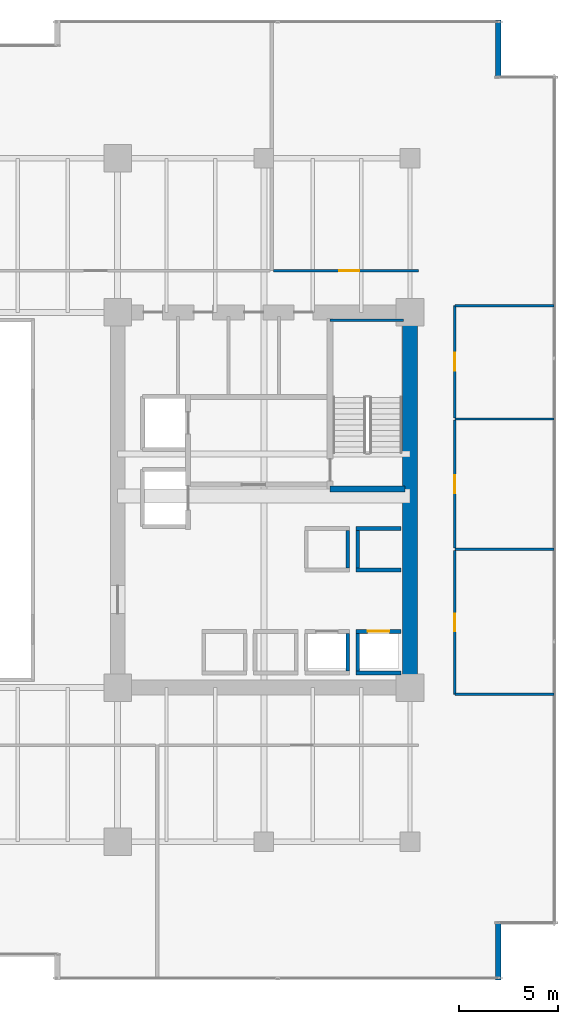
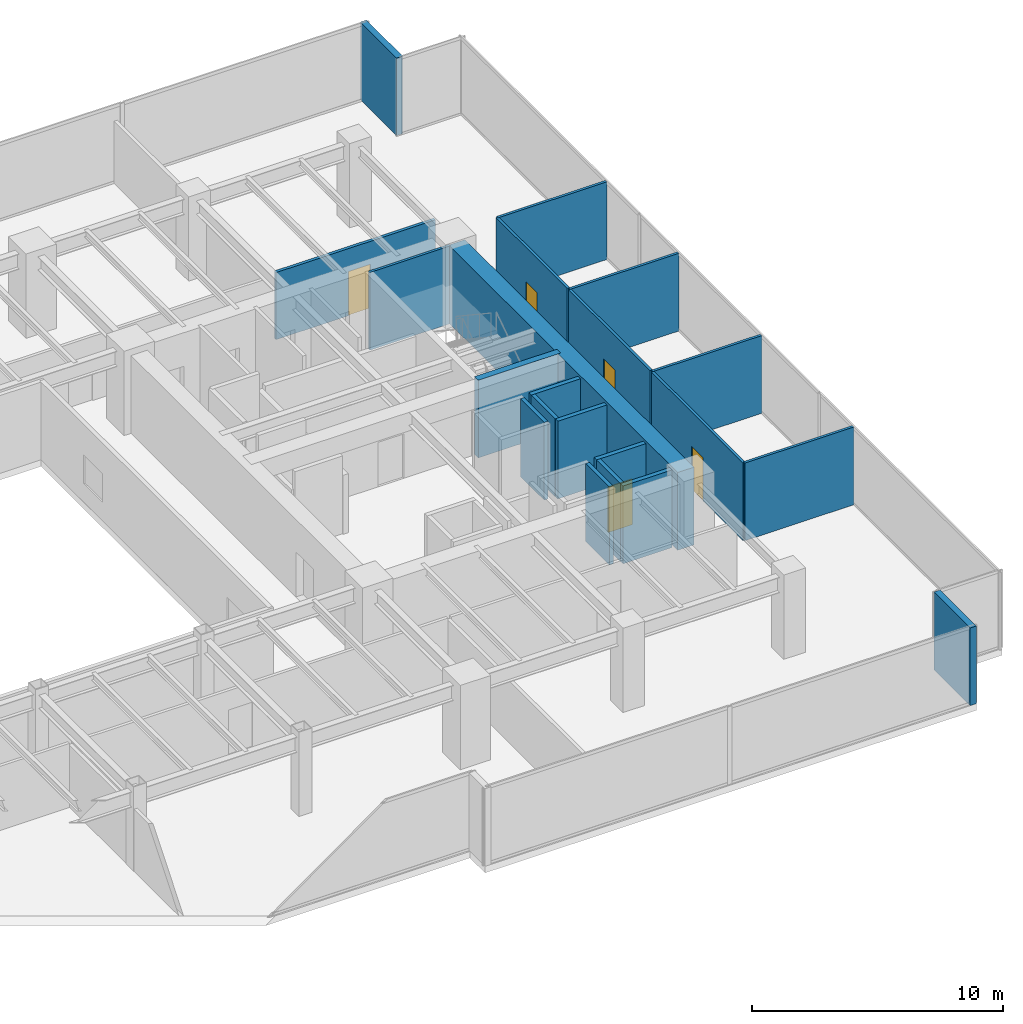
# One storey, part 32 of 35: 21 walls, 5 doors, 5 openings.
"""IFC4 building model written with IfcOpenShell, lengths in metres."""

from ifc_helpers import new_model, si_unit, direction, frame, frame_2d, origin, place, context, subcontext, project, spatial, rectangle, extrude, source, transform, mapped, material, layer, layer_set, type_object, type_shapes, element, fill, save


model = new_model("IFC4")

# Units and contexts
model_context = context("Model", 3, precision=1e-05, world=origin(), true_north=direction((0.0, 1.0)))
body_context = subcontext(model_context, "Body", "Model", "MODEL_VIEW")
ifc_project = project(units=[si_unit("LENGTHUNIT", "METRE"), si_unit("AREAUNIT", "SQUARE_METRE"), si_unit("VOLUMEUNIT", "CUBIC_METRE"), si_unit("PLANEANGLEUNIT", "RADIAN"), si_unit("MASSUNIT", "GRAM", prefix="KILO")], contexts=[model_context])

# Site, building, storey
site_placement = place(None, origin())
site = spatial("IfcSite", under=ifc_project, at=site_placement, CompositionType="ELEMENT")
building_placement = place(site_placement, origin())
building = spatial("IfcBuilding", under=site, at=building_placement, Name="Haelvirn Gate Laboratories", CompositionType="ELEMENT")
storey_placement = place(building_placement, frame((0.0, 0.0, 66.199951171875)))
storey = spatial("IfcBuildingStorey", under=building, at=storey_placement, Name="L16", CompositionType="ELEMENT", Elevation=66.199951171875)

# Walls
ifc_material_1 = material(Name="Thermally-broken bronze aluminium rainscreen & mineral wool", Category="aluminium")
ifc_layer_1 = layer(ifc_material_1, 0.280029296875, Name="EW-TERR-280")
ifc_layer_set_1 = layer_set([ifc_layer_1], Name="Thermally-broken bronze aluminium rainscreen & mineral wool")
wall_type_1 = type_object("IfcWallType", Name="EW-TERR-280", PredefinedType="STANDARD", material=ifc_layer_set_1)
wall_1_placement = place(storey_placement, frame((71.860107421875, 0.0, 0.0), z_axis=(0.0, 0.0, 1.0), x_axis=(0.0, 1.0, 0.0)))
element("IfcWall", 1, at=wall_1_placement, inside=storey, type_object=wall_type_1, Name="L16 Atrium Recess Bronze Return Wall 05", PredefinedType="STANDARD", context=body_context, shape_type="SweptSolid", body=[
    extrude(rectangle(XDim=2.887939453125, YDim=0.280029296875, at=frame_2d((1.44384765625, 0.0))), origin(), (0.0, 0.0, 1.0), 3.780029296875),
])
wall_2_placement = place(storey_placement, frame((71.860107421875, 45.7119140625, 0.0), z_axis=(0.0, 0.0, 1.0), x_axis=(0.0, 1.0, 0.0)))
element("IfcWall", 2, at=wall_2_placement, inside=storey, type_object=wall_type_1, Name="L16 Atrium Recess Bronze Return Wall 09", PredefinedType="STANDARD", context=body_context, shape_type="SweptSolid", body=[
    extrude(rectangle(XDim=2.88818359375, YDim=0.280029296875, at=frame_2d((1.444091796875, 0.0))), origin(), (0.0, 0.0, 1.0), 3.780029296875),
])
ifc_material_2 = material(Name="Lightweight acoustic gypsum board partition", Category="gypsum")
ifc_layer_2 = layer(ifc_material_2, 0.1201171875, Name="IW-PART-120")
ifc_layer_set_2 = layer_set([ifc_layer_2], Name="Lightweight acoustic gypsum board partition")
wall_type_2 = type_object("IfcWallType", Name="IW-PART-120", PredefinedType="PARTITIONING", material=ifc_layer_set_2)
for number, where, z_axis, x_axis, name in (
    (3, (69.669921875, 14.465087890625, 0.0), (0.0, 0.0, 1.0), (1.0, 0.0, 0.0), "L16 Interior Wall IW-L16-ECAP-S"),
    (4, (69.669921875, 34.135009765625, 0.0), (0.0, 0.0, 1.0), (1.0, 0.0, 0.0), "L16 Interior Wall IW-L16-ECAP-N"),
):
    element("IfcWall", number, at=place(storey_placement, frame(where, z_axis=z_axis, x_axis=x_axis)), inside=storey, type_object=wall_type_2, Name=name, PredefinedType="PARTITIONING", context=body_context, shape_type="SweptSolid", body=[
        extrude(rectangle(XDim=5.02001953125, YDim=0.1201171875, at=frame_2d((2.510009765625, 0.0))), origin(), (0.0, 0.0, 1.0), 3.780029296875),
    ])

# Wall, opening, door
wall_3_placement = place(storey_placement, frame((69.669921875, 14.465087890625, 0.0), z_axis=(0.0, 0.0, 1.0), x_axis=(0.0, 1.0, 0.0)))
wall_3 = element("IfcWall", 5, at=wall_3_placement, inside=storey, type_object=wall_type_2, Name="L16 Interior Wall IW-L16-EPASS-01", PredefinedType="PARTITIONING", context=body_context, shape_type="SweptSolid", body=[
    extrude(rectangle(XDim=7.27490234375, YDim=0.1201171875, at=frame_2d((3.637451171875, 0.0))), origin(), (0.0, 0.0, 1.0), 3.780029296875),
])
opening_1_placement = place(wall_3_placement, frame((3.1875, 0.0, 0.0)))
opening_1 = element("IfcOpeningElement", 6, at=opening_1_placement, cuts=wall_3, Name="Opening D4", PredefinedType="OPENING", context=body_context, shape_type="SweptSolid", body=[
    extrude(rectangle(XDim=0.89990234375, YDim=2.10009765625, at=frame_2d((0.449951171875, 1.050048828125))), frame((0.0, 0.070068359375, 0.0), z_axis=(0.0, -1.0, 0.0), x_axis=(1.0, 0.0, 0.0)), (0.0, 0.0, 1.0), 0.14013671875),
])
ifc_material_3 = material(Name="Glazed aluminium-framed write-up door", Category="aluminium")
door_type_1 = type_object("IfcDoorType", Name="DR-OFF-900", OperationType="NOTDEFINED", PredefinedType="DOOR", material=ifc_material_3)
shared_shape_1 = source(origin(), body_context, "Body", "SweptSolid", [
    extrude(rectangle(XDim=0.89990234375, YDim=2.10009765625, at=frame_2d((0.449951171875, 1.050048828125))), frame((0.0, 0.02490234375, 0.0), z_axis=(0.0, -1.0, 0.0), x_axis=(1.0, 0.0, 0.0)), (0.0, 0.0, 1.0), 0.050048828125),
])
type_shapes(door_type_1, [shared_shape_1])
door_1_placement = place(opening_1_placement, origin())
door_1 = element("IfcDoor", 7, at=door_1_placement, inside=storey, type_object=door_type_1, Name="L16 Bioprocess Foundry Laboratory Door E1", OperationType="SINGLE_SWING_LEFT", OverallHeight=2.10009765625, OverallWidth=0.89990234375, PredefinedType="DOOR", context=body_context, shape_type="MappedRepresentation", body=[
    mapped(shared_shape_1, transform((0.0, 0.0, 0.0), scale=1.0)),
])
fill(opening_1, door_1)

# Wall
wall_4_placement = place(storey_placement, frame((69.669921875, 21.800048828125, 0.0), z_axis=(0.0, 0.0, 1.0), x_axis=(1.0, 0.0, 0.0)))
element("IfcWall", 8, at=wall_4_placement, inside=storey, type_object=wall_type_2, Name="L16 Interior Wall IW-L16-EDIV-01", PredefinedType="PARTITIONING", context=body_context, shape_type="SweptSolid", body=[
    extrude(rectangle(XDim=5.02001953125, YDim=0.1201171875, at=frame_2d((2.510009765625, 0.0))), origin(), (0.0, 0.0, 1.0), 3.780029296875),
])

# Wall, opening, door
wall_5_placement = place(storey_placement, frame((69.669921875, 21.860107421875, 0.0), z_axis=(0.0, 0.0, 1.0), x_axis=(0.0, 1.0, 0.0)))
wall_5 = element("IfcWall", 9, at=wall_5_placement, inside=storey, type_object=wall_type_2, Name="L16 Interior Wall IW-L16-EPASS-02", PredefinedType="PARTITIONING", context=body_context, shape_type="SweptSolid", body=[
    extrude(rectangle(XDim=6.47998046875, YDim=0.1201171875, at=frame_2d((3.239990234375, 0.0))), origin(), (0.0, 0.0, 1.0), 3.780029296875),
])
opening_2_placement = place(wall_5_placement, frame((2.7900390625, 0.0, 0.0)))
opening_2 = element("IfcOpeningElement", 10, at=opening_2_placement, cuts=wall_5, Name="Opening D4", PredefinedType="OPENING", context=body_context, shape_type="SweptSolid", body=[
    extrude(rectangle(XDim=0.89990234375, YDim=2.10009765625, at=frame_2d((0.449951171875, 1.050048828125))), frame((0.0, 0.070068359375, 0.0), z_axis=(0.0, -1.0, 0.0), x_axis=(1.0, 0.0, 0.0)), (0.0, 0.0, 1.0), 0.14013671875),
])
door_2_placement = place(opening_2_placement, origin())
door_2 = element("IfcDoor", 11, at=door_2_placement, inside=storey, type_object=door_type_1, Name="L16 Genomics Assay Laboratory Door E2", OperationType="SINGLE_SWING_RIGHT", OverallHeight=2.10009765625, OverallWidth=0.89990234375, PredefinedType="DOOR", context=body_context, shape_type="MappedRepresentation", body=[
    mapped(shared_shape_1, transform((0.0, 0.0, 0.0), scale=1.0)),
])
fill(opening_2, door_2)

# Wall
wall_6_placement = place(storey_placement, frame((69.669921875, 28.39990234375, 0.0), z_axis=(0.0, 0.0, 1.0), x_axis=(1.0, 0.0, 0.0)))
element("IfcWall", 12, at=wall_6_placement, inside=storey, type_object=wall_type_2, Name="L16 Interior Wall IW-L16-EDIV-02", PredefinedType="PARTITIONING", context=body_context, shape_type="SweptSolid", body=[
    extrude(rectangle(XDim=5.02001953125, YDim=0.1201171875, at=frame_2d((2.510009765625, 0.0))), origin(), (0.0, 0.0, 1.0), 3.780029296875),
])

# Wall, opening, door
wall_7_placement = place(storey_placement, frame((69.669921875, 28.4599609375, 0.0), z_axis=(0.0, 0.0, 1.0), x_axis=(0.0, 1.0, 0.0)))
wall_7 = element("IfcWall", 13, at=wall_7_placement, inside=storey, type_object=wall_type_2, Name="L16 Interior Wall IW-L16-EPASS-03", PredefinedType="PARTITIONING", context=body_context, shape_type="SweptSolid", body=[
    extrude(rectangle(XDim=5.675048828125, YDim=0.1201171875, at=frame_2d((2.83740234375, 0.0))), origin(), (0.0, 0.0, 1.0), 3.780029296875),
])
opening_3_placement = place(wall_7_placement, frame((2.387451171875, 0.0, 0.0)))
opening_3 = element("IfcOpeningElement", 14, at=opening_3_placement, cuts=wall_7, Name="Opening D4", PredefinedType="OPENING", context=body_context, shape_type="SweptSolid", body=[
    extrude(rectangle(XDim=0.89990234375, YDim=2.10009765625, at=frame_2d((0.449951171875, 1.050048828125))), frame((0.0, 0.070068359375, 0.0), z_axis=(0.0, -1.0, 0.0), x_axis=(1.0, 0.0, 0.0)), (0.0, 0.0, 1.0), 0.14013671875),
])
door_3_placement = place(opening_3_placement, origin())
door_3 = element("IfcDoor", 15, at=door_3_placement, inside=storey, type_object=door_type_1, Name="L16 Proteomics Mass-Spec Laboratory Door E3", OperationType="SINGLE_SWING_LEFT", OverallHeight=2.10009765625, OverallWidth=0.89990234375, PredefinedType="DOOR", context=body_context, shape_type="MappedRepresentation", body=[
    mapped(shared_shape_1, transform((0.0, 0.0, 0.0), scale=1.0)),
])
fill(opening_3, door_3)

ifc_material_4 = material(Name="Acoustic mineral-wool gypsum board partition", Category="gypsum")
ifc_layer_3 = layer(ifc_material_4, 0.139892578125, Name="IW-PART-140")
ifc_layer_set_3 = layer_set([ifc_layer_3], Name="Acoustic mineral-wool gypsum board partition")
wall_type_3 = type_object("IfcWallType", Name="IW-PART-140", PredefinedType="PARTITIONING", material=ifc_layer_set_3)
wall_8_placement = place(storey_placement, frame((60.47998046875, 35.909912109375, 0.0), z_axis=(0.0, 0.0, 1.0), x_axis=(1.0, 0.0, 0.0)))
wall_8 = element("IfcWall", 16, at=wall_8_placement, inside=storey, type_object=wall_type_3, Name="L16 Interior Wall IW-L16-NCORR-05", PredefinedType="PARTITIONING", context=body_context, shape_type="SweptSolid", body=[
    extrude(rectangle(XDim=7.340087890625, YDim=0.139892578125, at=frame_2d((3.669921875, 0.0))), origin(), (0.0, 0.0, 1.0), 3.26513671875),
])
opening_4_placement = place(wall_8_placement, frame((3.339111328125, 0.0, 0.0)))
opening_4 = element("IfcOpeningElement", 17, at=opening_4_placement, cuts=wall_8, Name="Opening D2", PredefinedType="OPENING", context=body_context, shape_type="SweptSolid", body=[
    extrude(rectangle(XDim=1.0, YDim=2.14990234375, at=frame_2d((0.5, 1.074951171875))), frame((0.0, 0.080078125, 0.0), z_axis=(0.0, -1.0, 0.0), x_axis=(1.0, 0.0, 0.0)), (0.0, 0.0, 1.0), 0.159912109375),
])
ifc_material_5 = material(Name="Acoustic solid-core timber suite door", Category="wood")
door_type_2 = type_object("IfcDoorType", Name="DR-INT-1000", OperationType="NOTDEFINED", PredefinedType="DOOR", material=ifc_material_5)
shared_shape_2 = source(origin(), body_context, "Body", "SweptSolid", [
    extrude(rectangle(XDim=1.0, YDim=2.14990234375, at=frame_2d((0.5, 1.074951171875))), frame((0.0, 0.02490234375, 0.0), z_axis=(0.0, -1.0, 0.0), x_axis=(1.0, 0.0, 0.0)), (0.0, 0.0, 1.0), 0.050048828125),
])
type_shapes(door_type_2, [shared_shape_2])
door_4_placement = place(opening_4_placement, origin())
door_4 = element("IfcDoor", 18, at=door_4_placement, inside=storey, type_object=door_type_2, Name="L16 Floor Hydration & Tea Servery Door N5", OperationType="SINGLE_SWING_RIGHT", OverallHeight=2.14990234375, OverallWidth=1.0, PredefinedType="DOOR", context=body_context, shape_type="MappedRepresentation", body=[
    mapped(shared_shape_2, transform((0.0, 0.0, 0.0), scale=1.0)),
])
fill(opening_4, door_4)

# Walls
ifc_material_6 = material(Name="Concrete C40/50", Category="concrete")
ifc_layer_4 = layer(ifc_material_6, 0.179931640625, Name="IW-SHAFT-180")
ifc_layer_set_4 = layer_set([ifc_layer_4], Name="Concrete C40/50")
wall_type_4 = type_object("IfcWallType", Name="IW-SHAFT-180", PredefinedType="SOLIDWALL", material=ifc_layer_set_4)
for number, where, z_axis, x_axis, name in (
    (19, (64.75, 15.64990234375, 0.0), (0.0, 0.0, 1.0), (0.0, 1.0, 0.0), "L16 Interior Wall IW-L16-PL3-SD"),
    (20, (64.25, 15.64990234375, 0.0), (0.0, 0.0, 1.0), (0.0, 1.0, 0.0), "L16 Interior Wall IW-L16-PL4-SDE"),
):
    element("IfcWall", number, at=place(storey_placement, frame(where, z_axis=z_axis, x_axis=x_axis)), inside=storey, type_object=wall_type_4, Name=name, PredefinedType="SOLIDWALL", context=body_context, shape_type="SweptSolid", body=[
        extrude(rectangle(XDim=1.900146484375, YDim=0.179931640625, at=frame_2d((0.9501953125, 0.0))), origin(), (0.0, 0.0, 1.0), 3.780029296875),
    ])
for number, where, z_axis, x_axis, name in (
    (21, (64.75, 20.85009765625, 0.0), (0.0, 0.0, 1.0), (0.0, 1.0, 0.0), "L16 Interior Wall IW-L16-PL11-SD"),
    (22, (64.25, 20.85009765625, 0.0), (0.0, 0.0, 1.0), (0.0, 1.0, 0.0), "L16 Interior Wall IW-L16-PL12-SDE"),
):
    element("IfcWall", number, at=place(storey_placement, frame(where, z_axis=z_axis, x_axis=x_axis)), inside=storey, type_object=wall_type_4, Name=name, PredefinedType="SOLIDWALL", context=body_context, shape_type="SweptSolid", body=[
        extrude(rectangle(XDim=1.89990234375, YDim=0.179931640625, at=frame_2d((0.949951171875, 0.0))), origin(), (0.0, 0.0, 1.0), 3.780029296875),
    ])

# Wall, opening, door
ifc_layer_5 = layer(ifc_material_6, 0.199951171875, Name="IW-SHAFT-200")
ifc_layer_set_5 = layer_set([ifc_layer_5], Name="Concrete C40/50")
wall_type_5 = type_object("IfcWallType", Name="IW-SHAFT-200", PredefinedType="SOLIDWALL", material=ifc_layer_set_5)
wall_9_placement = place(storey_placement, frame((64.669921875, 17.64990234375, 0.0), z_axis=(0.0, 0.0, 1.0), x_axis=(1.0, 0.0, 0.0)))
wall_9 = element("IfcWall", 23, at=wall_9_placement, inside=storey, type_object=wall_type_5, Name="L16 Interior Wall IW-L16-PL3-FR", PredefinedType="SOLIDWALL", context=body_context, shape_type="SweptSolid", body=[
    extrude(rectangle(XDim=2.260009765625, YDim=0.199951171875, at=frame_2d((1.1298828125, 0.0))), origin(), (0.0, 0.0, 1.0), 3.780029296875),
])
opening_5_placement = place(wall_9_placement, frame((0.580078125, 0.0, 0.0)))
opening_5 = element("IfcOpeningElement", 24, at=opening_5_placement, cuts=wall_9, Name="Opening LD2", PredefinedType="OPENING", context=body_context, shape_type="SweptSolid", body=[
    extrude(rectangle(XDim=1.10009765625, YDim=2.219970703125, at=frame_2d((0.550048828125, 1.10986328125))), frame((0.0, 0.10986328125, 0.0), z_axis=(0.0, -1.0, 0.0), x_axis=(1.0, 0.0, 0.0)), (0.0, 0.0, 1.0), 0.219970703125),
])
ifc_material_7 = material(Name="Bronze stainless 316L sliding lift landing door")
door_type_3 = type_object("IfcDoorType", Name="DR-LD-1100", OperationType="NOTDEFINED", PredefinedType="USERDEFINED", material=ifc_material_7)
shared_shape_3 = source(origin(), body_context, "Body", "SweptSolid", [
    extrude(rectangle(XDim=1.10009765625, YDim=2.219970703125, at=frame_2d((0.550048828125, 1.10986328125))), frame((0.0, 0.02490234375, 0.0), z_axis=(0.0, -1.0, 0.0), x_axis=(1.0, 0.0, 0.0)), (0.0, 0.0, 1.0), 0.050048828125),
])
type_shapes(door_type_3, [shared_shape_3])
door_5_placement = place(opening_5_placement, origin())
door_5 = element("IfcDoor", 25, at=door_5_placement, inside=storey, type_object=door_type_3, Name="L16 Passenger Lift PL3 Landing Door", ObjectType="LANDING_DOOR", OperationType="SLIDING_TO_LEFT", OverallHeight=2.219970703125, OverallWidth=1.10009765625, PredefinedType="USERDEFINED", context=body_context, shape_type="MappedRepresentation", body=[
    mapped(shared_shape_3, transform((0.0, 0.0, 0.0), scale=1.0)),
])
fill(opening_5, door_5)

# Walls
for number, where, z_axis, x_axis, name in (
    (26, (64.669921875, 15.550048828125, 0.0), (0.0, 0.0, 1.0), (1.0, 0.0, 0.0), "L16 Interior Wall IW-L16-PL3-BK"),
    (27, (64.669921875, 20.75, 0.0), (0.0, 0.0, 1.0), (1.0, 0.0, 0.0), "L16 Interior Wall IW-L16-PL11-FR"),
    (28, (64.669921875, 22.85009765625, 0.0), (0.0, 0.0, 1.0), (1.0, 0.0, 0.0), "L16 Interior Wall IW-L16-PL11-BK"),
):
    element("IfcWall", number, at=place(storey_placement, frame(where, z_axis=z_axis, x_axis=x_axis)), inside=storey, type_object=wall_type_5, Name=name, PredefinedType="SOLIDWALL", context=body_context, shape_type="SweptSolid", body=[
        extrude(rectangle(XDim=2.260009765625, YDim=0.199951171875, at=frame_2d((1.1298828125, 0.0))), origin(), (0.0, 0.0, 1.0), 3.780029296875),
    ])
ifc_material_8 = material(Name="Concrete C70/85", Category="concrete")
ifc_layer_6 = layer(ifc_material_8, 0.75, Name="SW-CORE-750")
ifc_layer_set_6 = layer_set([ifc_layer_6], Name="Concrete C70/85")
wall_type_6 = type_object("IfcWallType", Name="SW-CORE-750", PredefinedType="SHEAR", material=ifc_layer_set_6)
wall_10_placement = place(storey_placement, frame((67.39990234375, 15.175048828125, 0.0), z_axis=(0.0, 0.0, 1.0), x_axis=(0.0, 1.0, 0.0)))
element("IfcWall", 29, at=wall_10_placement, inside=storey, type_object=wall_type_6, Name="L16 E Core Shear Wall E", PredefinedType="SHEAR", context=body_context, shape_type="SweptSolid", body=[
    extrude(rectangle(XDim=18.25, YDim=0.75, at=frame_2d((9.125, 0.0))), origin(), (0.0, 0.0, 1.0), 3.780029296875),
])
ifc_material_9 = material(Name="Concrete C50/60", Category="concrete")
ifc_layer_7 = layer(ifc_material_9, 0.1201171875, Name="SW-LINER-120")
ifc_layer_set_7 = layer_set([ifc_layer_7], Name="Concrete C50/60")
wall_type_7 = type_object("IfcWallType", Name="SW-LINER-120", PredefinedType="SOLIDWALL", material=ifc_layer_set_7)
wall_11_placement = place(storey_placement, frame((63.35009765625, 33.39990234375, 0.0), z_axis=(0.0, 0.0, 1.0), x_axis=(1.0, 0.0, 0.0)))
element("IfcWall", 30, at=wall_11_placement, inside=storey, type_object=wall_type_7, Name="L16 E Core Stair Shaft Liner Wall N", PredefinedType="SOLIDWALL", context=body_context, shape_type="SweptSolid", body=[
    extrude(rectangle(XDim=3.719970703125, YDim=0.1201171875, at=frame_2d((1.85986328125, 0.0))), origin(), (0.0, 0.0, 1.0), 3.780029296875),
])
ifc_layer_8 = layer(ifc_material_9, 0.300048828125, Name="SW-STAIR-300")
ifc_layer_set_8 = layer_set([ifc_layer_8], Name="Concrete C50/60")
wall_type_8 = type_object("IfcWallType", Name="SW-STAIR-300", PredefinedType="SHEAR", material=ifc_layer_set_8)
wall_12_placement = place(storey_placement, frame((63.35009765625, 24.85009765625, 0.0), z_axis=(0.0, 0.0, 1.0), x_axis=(1.0, 0.0, 0.0)))
element("IfcWall", 31, at=wall_12_placement, inside=storey, type_object=wall_type_8, Name="L16 E Core Stair Shaft Structural Wall S", PredefinedType="SHEAR", context=body_context, shape_type="SweptSolid", body=[
    extrude(rectangle(XDim=3.7998046875, YDim=0.300048828125, at=frame_2d((1.89990234375, 0.0))), origin(), (0.0, 0.0, 1.0), 3.780029296875),
])

save(model, "model.ifc")
